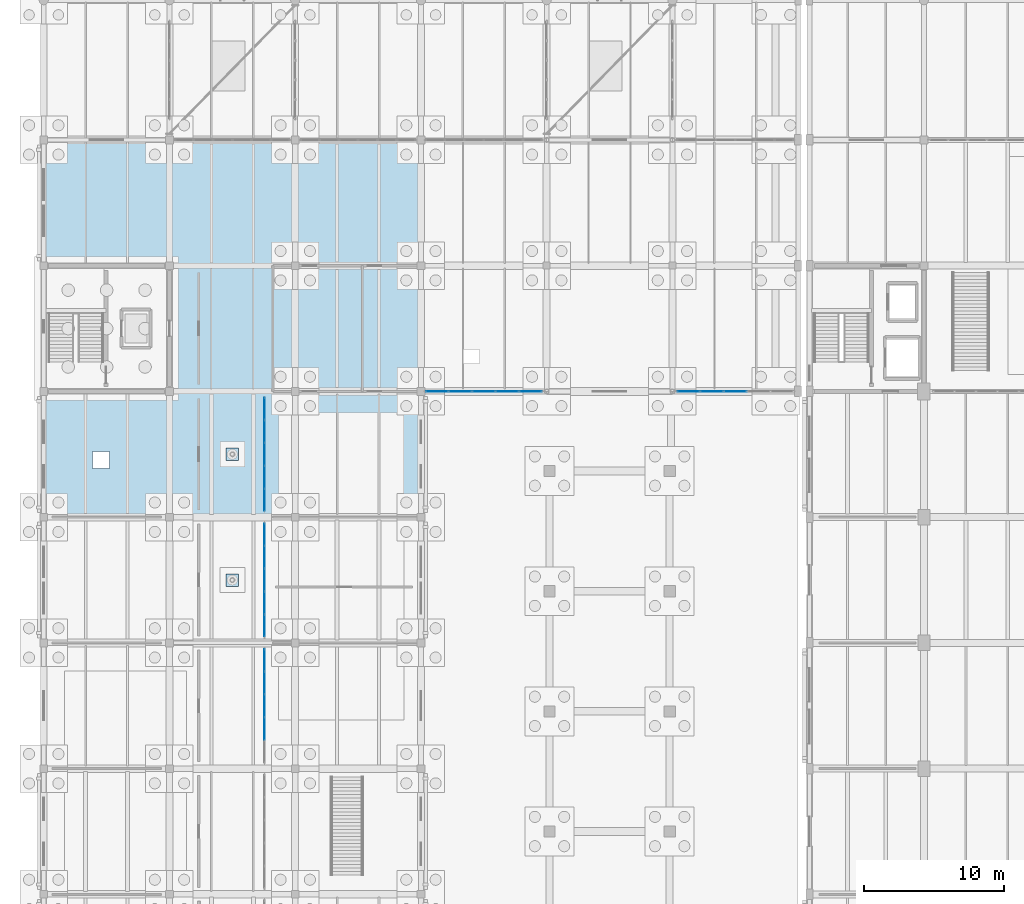
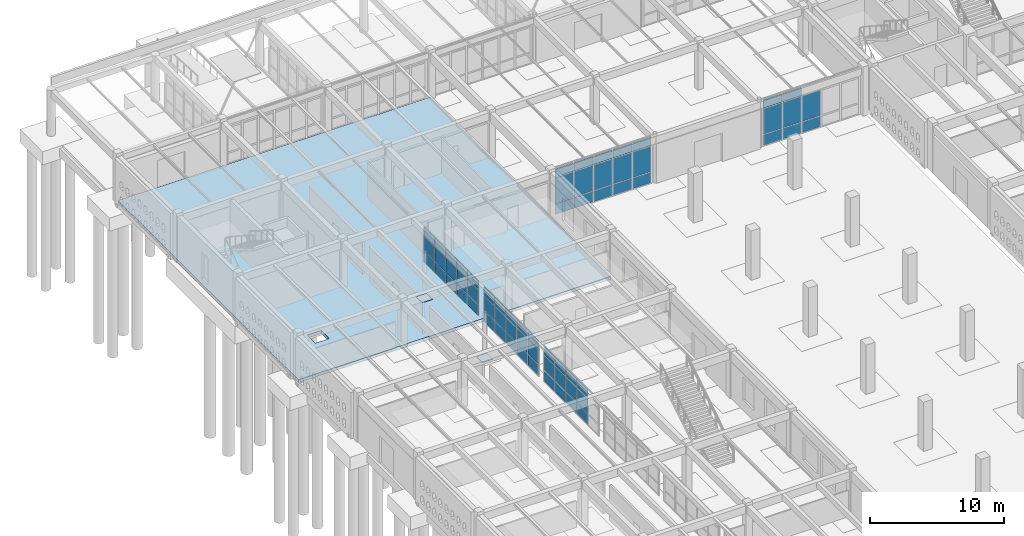
# One storey, part 144 of 186: 67 plates, 1 slab, 5 elements without a shape of their own.
"""IFC4 building model written with IfcOpenShell, lengths in metres."""

from ifc_helpers import new_model, si_unit, direction, frame, origin, origin_2d, place, context, subcontext, project, spatial, polyline, rectangle, outline, extrude, material, layer, layer_set, type_object, element, aggregate, save


model = new_model("IFC4")

# Units and contexts
model_context = context("Model", 3, precision=1e-05, world=origin(), true_north=direction((0.0, 1.0)))
body_context = subcontext(model_context, "Body", "Model", "MODEL_VIEW")
ifc_project = project(units=[si_unit("LENGTHUNIT", "METRE"), si_unit("AREAUNIT", "SQUARE_METRE"), si_unit("VOLUMEUNIT", "CUBIC_METRE"), si_unit("PLANEANGLEUNIT", "RADIAN"), si_unit("MASSUNIT", "GRAM", prefix="KILO")], contexts=[model_context])

# Site, building, storey
site_placement = place(None, origin())
site = spatial("IfcSite", under=ifc_project, at=site_placement, CompositionType="ELEMENT")
building_placement = place(site_placement, origin())
building = spatial("IfcBuilding", under=site, at=building_placement, Name="Ornek Quay Market", CompositionType="ELEMENT")
storey_placement = place(building_placement, origin())
storey = spatial("IfcBuildingStorey", under=building, at=storey_placement, Name="L00", CompositionType="ELEMENT", Elevation=0.0)

# Plates
ifc_material_1 = material(Name="Steel S355", Category="steel")
ifc_layer_1 = layer(ifc_material_1, 0.89990234375, Name="Steel S355", Category="steel")
ifc_layer_set_1 = layer_set([ifc_layer_1], Name="Steel S355")
plate_type_1 = type_object("IfcPlateType", Name="PL-BASE-900x900x40", PredefinedType="SHEET", material=ifc_layer_set_1)
for number, where, z_axis, x_axis, name in (
    (1, (13.5, 78.5, -0.0400390625), (0.0, 0.0, 1.0), (1.0, 0.0, 0.0), "Column base plate BP-06"),
    (2, (13.5, 87.5, -0.0400390625), (0.0, 0.0, 1.0), (1.0, 0.0, 0.0), "Column base plate BP-08"),
):
    element("IfcPlate", number, at=place(storey_placement, frame(where, z_axis=z_axis, x_axis=x_axis)), inside=storey, type_object=plate_type_1, Name=name, PredefinedType="SHEET", context=body_context, shape_type="SweptSolid", body=[
        extrude(rectangle(XDim=0.89990234375, YDim=0.89990234375, at=origin_2d()), origin(), (0.0, 0.0, 1.0), 0.0400390625),
    ])

# Curtain wall, plates
ifc_material_2 = material(Name="Anodised bronze aluminium and triple low-e glass", Category="aluminium")
ifc_layer_2 = layer(ifc_material_2, 0.179931640625, Name="Anodised bronze aluminium and triple low-e glass", Category="aluminium")
ifc_layer_set_2 = layer_set([ifc_layer_2], Name="Anodised bronze aluminium and triple low-e glass")
curtain_wall_type_1 = type_object("IfcCurtainWallType", Name="CW-CONC-MOD1500", PredefinedType="USERDEFINED", material=ifc_layer_set_2)
curtain_wall_1_placement = place(storey_placement, origin())
curtain_wall_1 = element("IfcCurtainWall", 3, at=curtain_wall_1_placement, inside=storey, type_object=curtain_wall_type_1, Name="Curtain wall CW-142", ObjectType="CURTAIN WALL", PredefinedType="USERDEFINED")
ifc_material_3 = material(Name="Toughened laminated acoustic glass", Category="glass")
ifc_layer_3 = layer(ifc_material_3, 0.01611328125, Name="Toughened laminated acoustic glass", Category="glass")
ifc_layer_set_3 = layer_set([ifc_layer_3], Name="Toughened laminated acoustic glass")
plate_type_2 = type_object("IfcPlateType", Name="PL-CW-INT-16", PredefinedType="CURTAIN_PANEL", material=ifc_layer_set_3)
plate_1_placement = place(storey_placement, frame((15.800048828125, 67.860107421875, 0.06005859375), z_axis=(0.0, 0.0, 1.0), x_axis=(0.0, 1.0, 0.0)))
plate_1 = element("IfcPlate", 4, at=plate_1_placement, type_object=plate_type_2, Name="CW-142 panel 2.1", PredefinedType="CURTAIN_PANEL", context=body_context, shape_type="SweptSolid", body=[
    extrude(rectangle(XDim=1.580078125, YDim=0.01611328125, at=origin_2d()), origin(), (0.0, 0.0, 1.0), 0.9599609375),
])
plate_2_placement = place(storey_placement, frame((15.800048828125, 67.860107421875, 1.080078125), z_axis=(0.0, 0.0, 1.0), x_axis=(0.0, 1.0, 0.0)))
plate_2 = element("IfcPlate", 5, at=plate_2_placement, type_object=plate_type_2, Name="CW-142 panel 2.2", PredefinedType="CURTAIN_PANEL", context=body_context, shape_type="SweptSolid", body=[
    extrude(rectangle(XDim=1.580078125, YDim=0.01611328125, at=origin_2d()), origin(), (0.0, 0.0, 1.0), 1.340087890625),
])
plate_3_placement = place(storey_placement, frame((15.800048828125, 67.860107421875, 2.47998046875), z_axis=(0.0, 0.0, 1.0), x_axis=(0.0, 1.0, 0.0)))
plate_3 = element("IfcPlate", 6, at=plate_3_placement, type_object=plate_type_2, Name="CW-142 panel 2.3", PredefinedType="CURTAIN_PANEL", context=body_context, shape_type="SweptSolid", body=[
    extrude(rectangle(XDim=1.580078125, YDim=0.01611328125, at=origin_2d()), origin(), (0.0, 0.0, 1.0), 0.760009765625),
])
plate_4_placement = place(storey_placement, frame((15.800048828125, 69.5, 0.06005859375), z_axis=(0.0, 0.0, 1.0), x_axis=(0.0, 1.0, 0.0)))
plate_4 = element("IfcPlate", 7, at=plate_4_placement, type_object=plate_type_2, Name="CW-142 panel 3.1", PredefinedType="CURTAIN_PANEL", context=body_context, shape_type="SweptSolid", body=[
    extrude(rectangle(XDim=1.580078125, YDim=0.01611328125, at=origin_2d()), origin(), (0.0, 0.0, 1.0), 0.9599609375),
])
plate_5_placement = place(storey_placement, frame((15.800048828125, 69.5, 1.080078125), z_axis=(0.0, 0.0, 1.0), x_axis=(0.0, 1.0, 0.0)))
plate_5 = element("IfcPlate", 8, at=plate_5_placement, type_object=plate_type_2, Name="CW-142 panel 3.2", PredefinedType="CURTAIN_PANEL", context=body_context, shape_type="SweptSolid", body=[
    extrude(rectangle(XDim=1.580078125, YDim=0.01611328125, at=origin_2d()), origin(), (0.0, 0.0, 1.0), 1.340087890625),
])
plate_6_placement = place(storey_placement, frame((15.800048828125, 69.5, 2.47998046875), z_axis=(0.0, 0.0, 1.0), x_axis=(0.0, 1.0, 0.0)))
plate_6 = element("IfcPlate", 9, at=plate_6_placement, type_object=plate_type_2, Name="CW-142 panel 3.3", PredefinedType="CURTAIN_PANEL", context=body_context, shape_type="SweptSolid", body=[
    extrude(rectangle(XDim=1.580078125, YDim=0.01611328125, at=origin_2d()), origin(), (0.0, 0.0, 1.0), 0.760009765625),
])
plate_7_placement = place(storey_placement, frame((15.800048828125, 71.139892578125, 0.06005859375), z_axis=(0.0, 0.0, 1.0), x_axis=(0.0, 1.0, 0.0)))
plate_7 = element("IfcPlate", 10, at=plate_7_placement, type_object=plate_type_2, Name="CW-142 panel 4.1", PredefinedType="CURTAIN_PANEL", context=body_context, shape_type="SweptSolid", body=[
    extrude(rectangle(XDim=1.580078125, YDim=0.01611328125, at=origin_2d()), origin(), (0.0, 0.0, 1.0), 0.9599609375),
])
plate_8_placement = place(storey_placement, frame((15.800048828125, 71.139892578125, 1.080078125), z_axis=(0.0, 0.0, 1.0), x_axis=(0.0, 1.0, 0.0)))
plate_8 = element("IfcPlate", 11, at=plate_8_placement, type_object=plate_type_2, Name="CW-142 panel 4.2", PredefinedType="CURTAIN_PANEL", context=body_context, shape_type="SweptSolid", body=[
    extrude(rectangle(XDim=1.580078125, YDim=0.01611328125, at=origin_2d()), origin(), (0.0, 0.0, 1.0), 1.340087890625),
])
plate_9_placement = place(storey_placement, frame((15.800048828125, 71.139892578125, 2.47998046875), z_axis=(0.0, 0.0, 1.0), x_axis=(0.0, 1.0, 0.0)))
plate_9 = element("IfcPlate", 12, at=plate_9_placement, type_object=plate_type_2, Name="CW-142 panel 4.3", PredefinedType="CURTAIN_PANEL", context=body_context, shape_type="SweptSolid", body=[
    extrude(rectangle(XDim=1.580078125, YDim=0.01611328125, at=origin_2d()), origin(), (0.0, 0.0, 1.0), 0.760009765625),
])
plate_10_placement = place(storey_placement, frame((15.800048828125, 72.764892578125, 0.06005859375), z_axis=(0.0, 0.0, 1.0), x_axis=(0.0, 1.0, 0.0)))
plate_10 = element("IfcPlate", 13, at=plate_10_placement, type_object=plate_type_2, Name="CW-142 panel 5.1", PredefinedType="CURTAIN_PANEL", context=body_context, shape_type="SweptSolid", body=[
    extrude(rectangle(XDim=1.550048828125, YDim=0.01611328125, at=origin_2d()), origin(), (0.0, 0.0, 1.0), 0.9599609375),
])
plate_11_placement = place(storey_placement, frame((15.800048828125, 72.764892578125, 1.080078125), z_axis=(0.0, 0.0, 1.0), x_axis=(0.0, 1.0, 0.0)))
plate_11 = element("IfcPlate", 14, at=plate_11_placement, type_object=plate_type_2, Name="CW-142 panel 5.2", PredefinedType="CURTAIN_PANEL", context=body_context, shape_type="SweptSolid", body=[
    extrude(rectangle(XDim=1.550048828125, YDim=0.01611328125, at=origin_2d()), origin(), (0.0, 0.0, 1.0), 1.340087890625),
])
plate_12_placement = place(storey_placement, frame((15.800048828125, 72.764892578125, 2.47998046875), z_axis=(0.0, 0.0, 1.0), x_axis=(0.0, 1.0, 0.0)))
plate_12 = element("IfcPlate", 15, at=plate_12_placement, type_object=plate_type_2, Name="CW-142 panel 5.3", PredefinedType="CURTAIN_PANEL", context=body_context, shape_type="SweptSolid", body=[
    extrude(rectangle(XDim=1.550048828125, YDim=0.01611328125, at=origin_2d()), origin(), (0.0, 0.0, 1.0), 0.760009765625),
])
aggregate(curtain_wall_1, [plate_1, plate_2, plate_3, plate_4, plate_5, plate_6, plate_7, plate_8, plate_9, plate_10, plate_11, plate_12])

curtain_wall_2_placement = place(storey_placement, origin())
curtain_wall_2 = element("IfcCurtainWall", 16, at=curtain_wall_2_placement, inside=storey, type_object=curtain_wall_type_1, Name="Curtain wall CW-144", ObjectType="CURTAIN WALL", PredefinedType="USERDEFINED")
plate_13_placement = place(storey_placement, frame((15.800048828125, 75.235107421875, 0.06005859375), z_axis=(0.0, 0.0, 1.0), x_axis=(0.0, 1.0, 0.0)))
plate_13 = element("IfcPlate", 17, at=plate_13_placement, type_object=plate_type_2, Name="CW-144 panel 1.1", PredefinedType="CURTAIN_PANEL", context=body_context, shape_type="SweptSolid", body=[
    extrude(rectangle(XDim=1.550048828125, YDim=0.01611328125, at=origin_2d()), origin(), (0.0, 0.0, 1.0), 0.9599609375),
])
plate_14_placement = place(storey_placement, frame((15.800048828125, 75.235107421875, 1.080078125), z_axis=(0.0, 0.0, 1.0), x_axis=(0.0, 1.0, 0.0)))
plate_14 = element("IfcPlate", 18, at=plate_14_placement, type_object=plate_type_2, Name="CW-144 panel 1.2", PredefinedType="CURTAIN_PANEL", context=body_context, shape_type="SweptSolid", body=[
    extrude(rectangle(XDim=1.550048828125, YDim=0.01611328125, at=origin_2d()), origin(), (0.0, 0.0, 1.0), 1.340087890625),
])
plate_15_placement = place(storey_placement, frame((15.800048828125, 75.235107421875, 2.47998046875), z_axis=(0.0, 0.0, 1.0), x_axis=(0.0, 1.0, 0.0)))
plate_15 = element("IfcPlate", 19, at=plate_15_placement, type_object=plate_type_2, Name="CW-144 panel 1.3", PredefinedType="CURTAIN_PANEL", context=body_context, shape_type="SweptSolid", body=[
    extrude(rectangle(XDim=1.550048828125, YDim=0.01611328125, at=origin_2d()), origin(), (0.0, 0.0, 1.0), 0.760009765625),
])
plate_16_placement = place(storey_placement, frame((15.800048828125, 76.860107421875, 0.06005859375), z_axis=(0.0, 0.0, 1.0), x_axis=(0.0, 1.0, 0.0)))
plate_16 = element("IfcPlate", 20, at=plate_16_placement, type_object=plate_type_2, Name="CW-144 panel 2.1", PredefinedType="CURTAIN_PANEL", context=body_context, shape_type="SweptSolid", body=[
    extrude(rectangle(XDim=1.580078125, YDim=0.01611328125, at=origin_2d()), origin(), (0.0, 0.0, 1.0), 0.9599609375),
])
plate_17_placement = place(storey_placement, frame((15.800048828125, 76.860107421875, 1.080078125), z_axis=(0.0, 0.0, 1.0), x_axis=(0.0, 1.0, 0.0)))
plate_17 = element("IfcPlate", 21, at=plate_17_placement, type_object=plate_type_2, Name="CW-144 panel 2.2", PredefinedType="CURTAIN_PANEL", context=body_context, shape_type="SweptSolid", body=[
    extrude(rectangle(XDim=1.580078125, YDim=0.01611328125, at=origin_2d()), origin(), (0.0, 0.0, 1.0), 1.340087890625),
])
plate_18_placement = place(storey_placement, frame((15.800048828125, 76.860107421875, 2.47998046875), z_axis=(0.0, 0.0, 1.0), x_axis=(0.0, 1.0, 0.0)))
plate_18 = element("IfcPlate", 22, at=plate_18_placement, type_object=plate_type_2, Name="CW-144 panel 2.3", PredefinedType="CURTAIN_PANEL", context=body_context, shape_type="SweptSolid", body=[
    extrude(rectangle(XDim=1.580078125, YDim=0.01611328125, at=origin_2d()), origin(), (0.0, 0.0, 1.0), 0.760009765625),
])
plate_19_placement = place(storey_placement, frame((15.800048828125, 78.5, 0.06005859375), z_axis=(0.0, 0.0, 1.0), x_axis=(0.0, 1.0, 0.0)))
plate_19 = element("IfcPlate", 23, at=plate_19_placement, type_object=plate_type_2, Name="CW-144 panel 3.1", PredefinedType="CURTAIN_PANEL", context=body_context, shape_type="SweptSolid", body=[
    extrude(rectangle(XDim=1.580078125, YDim=0.01611328125, at=origin_2d()), origin(), (0.0, 0.0, 1.0), 0.9599609375),
])
plate_20_placement = place(storey_placement, frame((15.800048828125, 78.5, 1.080078125), z_axis=(0.0, 0.0, 1.0), x_axis=(0.0, 1.0, 0.0)))
plate_20 = element("IfcPlate", 24, at=plate_20_placement, type_object=plate_type_2, Name="CW-144 panel 3.2", PredefinedType="CURTAIN_PANEL", context=body_context, shape_type="SweptSolid", body=[
    extrude(rectangle(XDim=1.580078125, YDim=0.01611328125, at=origin_2d()), origin(), (0.0, 0.0, 1.0), 1.340087890625),
])
plate_21_placement = place(storey_placement, frame((15.800048828125, 78.5, 2.47998046875), z_axis=(0.0, 0.0, 1.0), x_axis=(0.0, 1.0, 0.0)))
plate_21 = element("IfcPlate", 25, at=plate_21_placement, type_object=plate_type_2, Name="CW-144 panel 3.3", PredefinedType="CURTAIN_PANEL", context=body_context, shape_type="SweptSolid", body=[
    extrude(rectangle(XDim=1.580078125, YDim=0.01611328125, at=origin_2d()), origin(), (0.0, 0.0, 1.0), 0.760009765625),
])
plate_22_placement = place(storey_placement, frame((15.800048828125, 80.139892578125, 0.06005859375), z_axis=(0.0, 0.0, 1.0), x_axis=(0.0, 1.0, 0.0)))
plate_22 = element("IfcPlate", 26, at=plate_22_placement, type_object=plate_type_2, Name="CW-144 panel 4.1", PredefinedType="CURTAIN_PANEL", context=body_context, shape_type="SweptSolid", body=[
    extrude(rectangle(XDim=1.580078125, YDim=0.01611328125, at=origin_2d()), origin(), (0.0, 0.0, 1.0), 0.9599609375),
])
plate_23_placement = place(storey_placement, frame((15.800048828125, 80.139892578125, 1.080078125), z_axis=(0.0, 0.0, 1.0), x_axis=(0.0, 1.0, 0.0)))
plate_23 = element("IfcPlate", 27, at=plate_23_placement, type_object=plate_type_2, Name="CW-144 panel 4.2", PredefinedType="CURTAIN_PANEL", context=body_context, shape_type="SweptSolid", body=[
    extrude(rectangle(XDim=1.580078125, YDim=0.01611328125, at=origin_2d()), origin(), (0.0, 0.0, 1.0), 1.340087890625),
])
plate_24_placement = place(storey_placement, frame((15.800048828125, 80.139892578125, 2.47998046875), z_axis=(0.0, 0.0, 1.0), x_axis=(0.0, 1.0, 0.0)))
plate_24 = element("IfcPlate", 28, at=plate_24_placement, type_object=plate_type_2, Name="CW-144 panel 4.3", PredefinedType="CURTAIN_PANEL", context=body_context, shape_type="SweptSolid", body=[
    extrude(rectangle(XDim=1.580078125, YDim=0.01611328125, at=origin_2d()), origin(), (0.0, 0.0, 1.0), 0.760009765625),
])
plate_25_placement = place(storey_placement, frame((15.800048828125, 81.764892578125, 0.06005859375), z_axis=(0.0, 0.0, 1.0), x_axis=(0.0, 1.0, 0.0)))
plate_25 = element("IfcPlate", 29, at=plate_25_placement, type_object=plate_type_2, Name="CW-144 panel 5.1", PredefinedType="CURTAIN_PANEL", context=body_context, shape_type="SweptSolid", body=[
    extrude(rectangle(XDim=1.550048828125, YDim=0.01611328125, at=origin_2d()), origin(), (0.0, 0.0, 1.0), 0.9599609375),
])
plate_26_placement = place(storey_placement, frame((15.800048828125, 81.764892578125, 1.080078125), z_axis=(0.0, 0.0, 1.0), x_axis=(0.0, 1.0, 0.0)))
plate_26 = element("IfcPlate", 30, at=plate_26_placement, type_object=plate_type_2, Name="CW-144 panel 5.2", PredefinedType="CURTAIN_PANEL", context=body_context, shape_type="SweptSolid", body=[
    extrude(rectangle(XDim=1.550048828125, YDim=0.01611328125, at=origin_2d()), origin(), (0.0, 0.0, 1.0), 1.340087890625),
])
plate_27_placement = place(storey_placement, frame((15.800048828125, 81.764892578125, 2.47998046875), z_axis=(0.0, 0.0, 1.0), x_axis=(0.0, 1.0, 0.0)))
plate_27 = element("IfcPlate", 31, at=plate_27_placement, type_object=plate_type_2, Name="CW-144 panel 5.3", PredefinedType="CURTAIN_PANEL", context=body_context, shape_type="SweptSolid", body=[
    extrude(rectangle(XDim=1.550048828125, YDim=0.01611328125, at=origin_2d()), origin(), (0.0, 0.0, 1.0), 0.760009765625),
])
aggregate(curtain_wall_2, [plate_13, plate_14, plate_15, plate_16, plate_17, plate_18, plate_19, plate_20, plate_21, plate_22, plate_23, plate_24, plate_25, plate_26, plate_27])

curtain_wall_3_placement = place(storey_placement, origin())
curtain_wall_3 = element("IfcCurtainWall", 32, at=curtain_wall_3_placement, inside=storey, type_object=curtain_wall_type_1, Name="Curtain wall CW-146", ObjectType="CURTAIN WALL", PredefinedType="USERDEFINED")
plate_28_placement = place(storey_placement, frame((15.800048828125, 84.235107421875, 0.06005859375), z_axis=(0.0, 0.0, 1.0), x_axis=(0.0, 1.0, 0.0)))
plate_28 = element("IfcPlate", 33, at=plate_28_placement, type_object=plate_type_2, Name="CW-146 panel 1.1", PredefinedType="CURTAIN_PANEL", context=body_context, shape_type="SweptSolid", body=[
    extrude(rectangle(XDim=1.550048828125, YDim=0.01611328125, at=origin_2d()), origin(), (0.0, 0.0, 1.0), 0.9599609375),
])
plate_29_placement = place(storey_placement, frame((15.800048828125, 84.235107421875, 1.080078125), z_axis=(0.0, 0.0, 1.0), x_axis=(0.0, 1.0, 0.0)))
plate_29 = element("IfcPlate", 34, at=plate_29_placement, type_object=plate_type_2, Name="CW-146 panel 1.2", PredefinedType="CURTAIN_PANEL", context=body_context, shape_type="SweptSolid", body=[
    extrude(rectangle(XDim=1.550048828125, YDim=0.01611328125, at=origin_2d()), origin(), (0.0, 0.0, 1.0), 1.340087890625),
])
plate_30_placement = place(storey_placement, frame((15.800048828125, 84.235107421875, 2.47998046875), z_axis=(0.0, 0.0, 1.0), x_axis=(0.0, 1.0, 0.0)))
plate_30 = element("IfcPlate", 35, at=plate_30_placement, type_object=plate_type_2, Name="CW-146 panel 1.3", PredefinedType="CURTAIN_PANEL", context=body_context, shape_type="SweptSolid", body=[
    extrude(rectangle(XDim=1.550048828125, YDim=0.01611328125, at=origin_2d()), origin(), (0.0, 0.0, 1.0), 0.760009765625),
])
plate_31_placement = place(storey_placement, frame((15.800048828125, 85.860107421875, 0.06005859375), z_axis=(0.0, 0.0, 1.0), x_axis=(0.0, 1.0, 0.0)))
plate_31 = element("IfcPlate", 36, at=plate_31_placement, type_object=plate_type_2, Name="CW-146 panel 2.1", PredefinedType="CURTAIN_PANEL", context=body_context, shape_type="SweptSolid", body=[
    extrude(rectangle(XDim=1.580078125, YDim=0.01611328125, at=origin_2d()), origin(), (0.0, 0.0, 1.0), 0.9599609375),
])
plate_32_placement = place(storey_placement, frame((15.800048828125, 85.860107421875, 1.080078125), z_axis=(0.0, 0.0, 1.0), x_axis=(0.0, 1.0, 0.0)))
plate_32 = element("IfcPlate", 37, at=plate_32_placement, type_object=plate_type_2, Name="CW-146 panel 2.2", PredefinedType="CURTAIN_PANEL", context=body_context, shape_type="SweptSolid", body=[
    extrude(rectangle(XDim=1.580078125, YDim=0.01611328125, at=origin_2d()), origin(), (0.0, 0.0, 1.0), 1.340087890625),
])
plate_33_placement = place(storey_placement, frame((15.800048828125, 85.860107421875, 2.47998046875), z_axis=(0.0, 0.0, 1.0), x_axis=(0.0, 1.0, 0.0)))
plate_33 = element("IfcPlate", 38, at=plate_33_placement, type_object=plate_type_2, Name="CW-146 panel 2.3", PredefinedType="CURTAIN_PANEL", context=body_context, shape_type="SweptSolid", body=[
    extrude(rectangle(XDim=1.580078125, YDim=0.01611328125, at=origin_2d()), origin(), (0.0, 0.0, 1.0), 0.760009765625),
])
plate_34_placement = place(storey_placement, frame((15.800048828125, 87.5, 0.06005859375), z_axis=(0.0, 0.0, 1.0), x_axis=(0.0, 1.0, 0.0)))
plate_34 = element("IfcPlate", 39, at=plate_34_placement, type_object=plate_type_2, Name="CW-146 panel 3.1", PredefinedType="CURTAIN_PANEL", context=body_context, shape_type="SweptSolid", body=[
    extrude(rectangle(XDim=1.580078125, YDim=0.01611328125, at=origin_2d()), origin(), (0.0, 0.0, 1.0), 0.9599609375),
])
plate_35_placement = place(storey_placement, frame((15.800048828125, 87.5, 1.080078125), z_axis=(0.0, 0.0, 1.0), x_axis=(0.0, 1.0, 0.0)))
plate_35 = element("IfcPlate", 40, at=plate_35_placement, type_object=plate_type_2, Name="CW-146 panel 3.2", PredefinedType="CURTAIN_PANEL", context=body_context, shape_type="SweptSolid", body=[
    extrude(rectangle(XDim=1.580078125, YDim=0.01611328125, at=origin_2d()), origin(), (0.0, 0.0, 1.0), 1.340087890625),
])
plate_36_placement = place(storey_placement, frame((15.800048828125, 87.5, 2.47998046875), z_axis=(0.0, 0.0, 1.0), x_axis=(0.0, 1.0, 0.0)))
plate_36 = element("IfcPlate", 41, at=plate_36_placement, type_object=plate_type_2, Name="CW-146 panel 3.3", PredefinedType="CURTAIN_PANEL", context=body_context, shape_type="SweptSolid", body=[
    extrude(rectangle(XDim=1.580078125, YDim=0.01611328125, at=origin_2d()), origin(), (0.0, 0.0, 1.0), 0.760009765625),
])
plate_37_placement = place(storey_placement, frame((15.800048828125, 89.139892578125, 0.06005859375), z_axis=(0.0, 0.0, 1.0), x_axis=(0.0, 1.0, 0.0)))
plate_37 = element("IfcPlate", 42, at=plate_37_placement, type_object=plate_type_2, Name="CW-146 panel 4.1", PredefinedType="CURTAIN_PANEL", context=body_context, shape_type="SweptSolid", body=[
    extrude(rectangle(XDim=1.580078125, YDim=0.01611328125, at=origin_2d()), origin(), (0.0, 0.0, 1.0), 0.9599609375),
])
plate_38_placement = place(storey_placement, frame((15.800048828125, 89.139892578125, 1.080078125), z_axis=(0.0, 0.0, 1.0), x_axis=(0.0, 1.0, 0.0)))
plate_38 = element("IfcPlate", 43, at=plate_38_placement, type_object=plate_type_2, Name="CW-146 panel 4.2", PredefinedType="CURTAIN_PANEL", context=body_context, shape_type="SweptSolid", body=[
    extrude(rectangle(XDim=1.580078125, YDim=0.01611328125, at=origin_2d()), origin(), (0.0, 0.0, 1.0), 1.340087890625),
])
plate_39_placement = place(storey_placement, frame((15.800048828125, 89.139892578125, 2.47998046875), z_axis=(0.0, 0.0, 1.0), x_axis=(0.0, 1.0, 0.0)))
plate_39 = element("IfcPlate", 44, at=plate_39_placement, type_object=plate_type_2, Name="CW-146 panel 4.3", PredefinedType="CURTAIN_PANEL", context=body_context, shape_type="SweptSolid", body=[
    extrude(rectangle(XDim=1.580078125, YDim=0.01611328125, at=origin_2d()), origin(), (0.0, 0.0, 1.0), 0.760009765625),
])
plate_40_placement = place(storey_placement, frame((15.800048828125, 90.764892578125, 0.06005859375), z_axis=(0.0, 0.0, 1.0), x_axis=(0.0, 1.0, 0.0)))
plate_40 = element("IfcPlate", 45, at=plate_40_placement, type_object=plate_type_2, Name="CW-146 panel 5.1", PredefinedType="CURTAIN_PANEL", context=body_context, shape_type="SweptSolid", body=[
    extrude(rectangle(XDim=1.550048828125, YDim=0.01611328125, at=origin_2d()), origin(), (0.0, 0.0, 1.0), 0.9599609375),
])
plate_41_placement = place(storey_placement, frame((15.800048828125, 90.764892578125, 1.080078125), z_axis=(0.0, 0.0, 1.0), x_axis=(0.0, 1.0, 0.0)))
plate_41 = element("IfcPlate", 46, at=plate_41_placement, type_object=plate_type_2, Name="CW-146 panel 5.2", PredefinedType="CURTAIN_PANEL", context=body_context, shape_type="SweptSolid", body=[
    extrude(rectangle(XDim=1.550048828125, YDim=0.01611328125, at=origin_2d()), origin(), (0.0, 0.0, 1.0), 1.340087890625),
])
plate_42_placement = place(storey_placement, frame((15.800048828125, 90.764892578125, 2.47998046875), z_axis=(0.0, 0.0, 1.0), x_axis=(0.0, 1.0, 0.0)))
plate_42 = element("IfcPlate", 47, at=plate_42_placement, type_object=plate_type_2, Name="CW-146 panel 5.3", PredefinedType="CURTAIN_PANEL", context=body_context, shape_type="SweptSolid", body=[
    extrude(rectangle(XDim=1.550048828125, YDim=0.01611328125, at=origin_2d()), origin(), (0.0, 0.0, 1.0), 0.760009765625),
])
aggregate(curtain_wall_3, [plate_28, plate_29, plate_30, plate_31, plate_32, plate_33, plate_34, plate_35, plate_36, plate_37, plate_38, plate_39, plate_40, plate_41, plate_42])

ifc_layer_4 = layer(ifc_material_2, 0.199951171875, Name="Anodised bronze aluminium and triple low-e glass", Category="aluminium")
ifc_layer_set_4 = layer_set([ifc_layer_4], Name="Anodised bronze aluminium and triple low-e glass")
curtain_wall_type_2 = type_object("IfcCurtainWallType", Name="CW-CONC-MOD1800", PredefinedType="USERDEFINED", material=ifc_layer_set_4)
curtain_wall_4_placement = place(storey_placement, origin())
curtain_wall_4 = element("IfcCurtainWall", 48, at=curtain_wall_4_placement, inside=storey, type_object=curtain_wall_type_2, Name="Curtain wall CW-006", ObjectType="CURTAIN WALL", PredefinedType="USERDEFINED")
ifc_material_4 = material(Name="Triple insulated low-e glass", Category="glass")
ifc_layer_5 = layer(ifc_material_4, 0.0419921875, Name="Triple insulated low-e glass", Category="glass")
ifc_layer_set_5 = layer_set([ifc_layer_5], Name="Triple insulated low-e glass")
plate_type_3 = type_object("IfcPlateType", Name="PL-CW-TRIPLE-42", PredefinedType="CURTAIN_PANEL", material=ifc_layer_set_5)
plate_43_placement = place(storey_placement, frame((28.15625, 92.0, 0.06494140625), z_axis=(0.0, 0.0, 1.0), x_axis=(1.0, 0.0, 0.0)))
plate_43 = element("IfcPlate", 49, at=plate_43_placement, type_object=plate_type_3, Name="CW-006 panel 1.1", PredefinedType="CURTAIN_PANEL", context=body_context, shape_type="SweptSolid", body=[
    extrude(rectangle(XDim=1.58251953125, YDim=0.0419921875, at=origin_2d()), origin(), (0.0, 0.0, 1.0), 0.952392578125),
])
plate_44_placement = place(storey_placement, frame((28.15625, 92.0, 1.08251953125), z_axis=(0.0, 0.0, 1.0), x_axis=(1.0, 0.0, 0.0)))
plate_44 = element("IfcPlate", 50, at=plate_44_placement, type_object=plate_type_3, Name="CW-006 panel 1.2", PredefinedType="CURTAIN_PANEL", context=body_context, shape_type="SweptSolid", body=[
    extrude(rectangle(XDim=1.58251953125, YDim=0.0419921875, at=origin_2d()), origin(), (0.0, 0.0, 1.0), 2.304931640625),
])
plate_45_placement = place(storey_placement, frame((28.15625, 92.0, 3.45263671875), z_axis=(0.0, 0.0, 1.0), x_axis=(1.0, 0.0, 0.0)))
plate_45 = element("IfcPlate", 51, at=plate_45_placement, type_object=plate_type_3, Name="CW-006 panel 1.3", PredefinedType="CURTAIN_PANEL", context=body_context, shape_type="SweptSolid", body=[
    extrude(rectangle(XDim=1.58251953125, YDim=0.0419921875, at=origin_2d()), origin(), (0.0, 0.0, 1.0), 0.75244140625),
])
plate_46_placement = place(storey_placement, frame((29.820068359375, 92.0, 0.06494140625), z_axis=(0.0, 0.0, 1.0), x_axis=(1.0, 0.0, 0.0)))
plate_46 = element("IfcPlate", 52, at=plate_46_placement, type_object=plate_type_3, Name="CW-006 panel 2.1", PredefinedType="CURTAIN_PANEL", context=body_context, shape_type="SweptSolid", body=[
    extrude(rectangle(XDim=1.614990234375, YDim=0.0419921875, at=origin_2d()), origin(), (0.0, 0.0, 1.0), 0.952392578125),
])
plate_47_placement = place(storey_placement, frame((29.820068359375, 92.0, 1.08251953125), z_axis=(0.0, 0.0, 1.0), x_axis=(1.0, 0.0, 0.0)))
plate_47 = element("IfcPlate", 53, at=plate_47_placement, type_object=plate_type_3, Name="CW-006 panel 2.2", PredefinedType="CURTAIN_PANEL", context=body_context, shape_type="SweptSolid", body=[
    extrude(rectangle(XDim=1.614990234375, YDim=0.0419921875, at=origin_2d()), origin(), (0.0, 0.0, 1.0), 2.304931640625),
])
plate_48_placement = place(storey_placement, frame((29.820068359375, 92.0, 3.45263671875), z_axis=(0.0, 0.0, 1.0), x_axis=(1.0, 0.0, 0.0)))
plate_48 = element("IfcPlate", 54, at=plate_48_placement, type_object=plate_type_3, Name="CW-006 panel 2.3", PredefinedType="CURTAIN_PANEL", context=body_context, shape_type="SweptSolid", body=[
    extrude(rectangle(XDim=1.614990234375, YDim=0.0419921875, at=origin_2d()), origin(), (0.0, 0.0, 1.0), 0.75244140625),
])
plate_49_placement = place(storey_placement, frame((31.5, 92.0, 0.06494140625), z_axis=(0.0, 0.0, 1.0), x_axis=(1.0, 0.0, 0.0)))
plate_49 = element("IfcPlate", 55, at=plate_49_placement, type_object=plate_type_3, Name="CW-006 panel 3.1", PredefinedType="CURTAIN_PANEL", context=body_context, shape_type="SweptSolid", body=[
    extrude(rectangle(XDim=1.614990234375, YDim=0.0419921875, at=origin_2d()), origin(), (0.0, 0.0, 1.0), 0.952392578125),
])
plate_50_placement = place(storey_placement, frame((31.5, 92.0, 1.08251953125), z_axis=(0.0, 0.0, 1.0), x_axis=(1.0, 0.0, 0.0)))
plate_50 = element("IfcPlate", 56, at=plate_50_placement, type_object=plate_type_3, Name="CW-006 panel 3.2", PredefinedType="CURTAIN_PANEL", context=body_context, shape_type="SweptSolid", body=[
    extrude(rectangle(XDim=1.614990234375, YDim=0.0419921875, at=origin_2d()), origin(), (0.0, 0.0, 1.0), 2.304931640625),
])
plate_51_placement = place(storey_placement, frame((31.5, 92.0, 3.45263671875), z_axis=(0.0, 0.0, 1.0), x_axis=(1.0, 0.0, 0.0)))
plate_51 = element("IfcPlate", 57, at=plate_51_placement, type_object=plate_type_3, Name="CW-006 panel 3.3", PredefinedType="CURTAIN_PANEL", context=body_context, shape_type="SweptSolid", body=[
    extrude(rectangle(XDim=1.614990234375, YDim=0.0419921875, at=origin_2d()), origin(), (0.0, 0.0, 1.0), 0.75244140625),
])
plate_52_placement = place(storey_placement, frame((33.179931640625, 92.0, 0.06494140625), z_axis=(0.0, 0.0, 1.0), x_axis=(1.0, 0.0, 0.0)))
plate_52 = element("IfcPlate", 58, at=plate_52_placement, type_object=plate_type_3, Name="CW-006 panel 4.1", PredefinedType="CURTAIN_PANEL", context=body_context, shape_type="SweptSolid", body=[
    extrude(rectangle(XDim=1.614990234375, YDim=0.0419921875, at=origin_2d()), origin(), (0.0, 0.0, 1.0), 0.952392578125),
])
plate_53_placement = place(storey_placement, frame((33.179931640625, 92.0, 1.08251953125), z_axis=(0.0, 0.0, 1.0), x_axis=(1.0, 0.0, 0.0)))
plate_53 = element("IfcPlate", 59, at=plate_53_placement, type_object=plate_type_3, Name="CW-006 panel 4.2", PredefinedType="CURTAIN_PANEL", context=body_context, shape_type="SweptSolid", body=[
    extrude(rectangle(XDim=1.614990234375, YDim=0.0419921875, at=origin_2d()), origin(), (0.0, 0.0, 1.0), 2.304931640625),
])
plate_54_placement = place(storey_placement, frame((33.179931640625, 92.0, 3.45263671875), z_axis=(0.0, 0.0, 1.0), x_axis=(1.0, 0.0, 0.0)))
plate_54 = element("IfcPlate", 60, at=plate_54_placement, type_object=plate_type_3, Name="CW-006 panel 4.3", PredefinedType="CURTAIN_PANEL", context=body_context, shape_type="SweptSolid", body=[
    extrude(rectangle(XDim=1.614990234375, YDim=0.0419921875, at=origin_2d()), origin(), (0.0, 0.0, 1.0), 0.75244140625),
])
plate_55_placement = place(storey_placement, frame((34.84375, 92.0, 0.06494140625), z_axis=(0.0, 0.0, 1.0), x_axis=(1.0, 0.0, 0.0)))
plate_55 = element("IfcPlate", 61, at=plate_55_placement, type_object=plate_type_3, Name="CW-006 panel 5.1", PredefinedType="CURTAIN_PANEL", context=body_context, shape_type="SweptSolid", body=[
    extrude(rectangle(XDim=1.58251953125, YDim=0.0419921875, at=origin_2d()), origin(), (0.0, 0.0, 1.0), 0.952392578125),
])
plate_56_placement = place(storey_placement, frame((34.84375, 92.0, 1.08251953125), z_axis=(0.0, 0.0, 1.0), x_axis=(1.0, 0.0, 0.0)))
plate_56 = element("IfcPlate", 62, at=plate_56_placement, type_object=plate_type_3, Name="CW-006 panel 5.2", PredefinedType="CURTAIN_PANEL", context=body_context, shape_type="SweptSolid", body=[
    extrude(rectangle(XDim=1.58251953125, YDim=0.0419921875, at=origin_2d()), origin(), (0.0, 0.0, 1.0), 2.304931640625),
])
plate_57_placement = place(storey_placement, frame((34.84375, 92.0, 3.45263671875), z_axis=(0.0, 0.0, 1.0), x_axis=(1.0, 0.0, 0.0)))
plate_57 = element("IfcPlate", 63, at=plate_57_placement, type_object=plate_type_3, Name="CW-006 panel 5.3", PredefinedType="CURTAIN_PANEL", context=body_context, shape_type="SweptSolid", body=[
    extrude(rectangle(XDim=1.58251953125, YDim=0.0419921875, at=origin_2d()), origin(), (0.0, 0.0, 1.0), 0.75244140625),
])
aggregate(curtain_wall_4, [plate_43, plate_44, plate_45, plate_46, plate_47, plate_48, plate_49, plate_50, plate_51, plate_52, plate_53, plate_54, plate_55, plate_56, plate_57])

curtain_wall_5_placement = place(storey_placement, origin())
curtain_wall_5 = element("IfcCurtainWall", 64, at=curtain_wall_5_placement, inside=storey, type_object=curtain_wall_type_2, Name="Curtain wall CW-010", ObjectType="CURTAIN WALL", PredefinedType="USERDEFINED")
plate_58_placement = place(storey_placement, frame((46.15625, 92.0, 0.06494140625), z_axis=(0.0, 0.0, 1.0), x_axis=(1.0, 0.0, 0.0)))
plate_58 = element("IfcPlate", 65, at=plate_58_placement, type_object=plate_type_3, Name="CW-010 panel 1.1", PredefinedType="CURTAIN_PANEL", context=body_context, shape_type="SweptSolid", body=[
    extrude(rectangle(XDim=1.58251953125, YDim=0.0419921875, at=origin_2d()), origin(), (0.0, 0.0, 1.0), 0.952392578125),
])
plate_59_placement = place(storey_placement, frame((46.15625, 92.0, 1.08251953125), z_axis=(0.0, 0.0, 1.0), x_axis=(1.0, 0.0, 0.0)))
plate_59 = element("IfcPlate", 66, at=plate_59_placement, type_object=plate_type_3, Name="CW-010 panel 1.2", PredefinedType="CURTAIN_PANEL", context=body_context, shape_type="SweptSolid", body=[
    extrude(rectangle(XDim=1.58251953125, YDim=0.0419921875, at=origin_2d()), origin(), (0.0, 0.0, 1.0), 2.304931640625),
])
plate_60_placement = place(storey_placement, frame((46.15625, 92.0, 3.45263671875), z_axis=(0.0, 0.0, 1.0), x_axis=(1.0, 0.0, 0.0)))
plate_60 = element("IfcPlate", 67, at=plate_60_placement, type_object=plate_type_3, Name="CW-010 panel 1.3", PredefinedType="CURTAIN_PANEL", context=body_context, shape_type="SweptSolid", body=[
    extrude(rectangle(XDim=1.58251953125, YDim=0.0419921875, at=origin_2d()), origin(), (0.0, 0.0, 1.0), 0.75244140625),
])
plate_61_placement = place(storey_placement, frame((47.820068359375, 92.0, 0.06494140625), z_axis=(0.0, 0.0, 1.0), x_axis=(1.0, 0.0, 0.0)))
plate_61 = element("IfcPlate", 68, at=plate_61_placement, type_object=plate_type_3, Name="CW-010 panel 2.1", PredefinedType="CURTAIN_PANEL", context=body_context, shape_type="SweptSolid", body=[
    extrude(rectangle(XDim=1.614990234375, YDim=0.0419921875, at=origin_2d()), origin(), (0.0, 0.0, 1.0), 0.952392578125),
])
plate_62_placement = place(storey_placement, frame((47.820068359375, 92.0, 1.08251953125), z_axis=(0.0, 0.0, 1.0), x_axis=(1.0, 0.0, 0.0)))
plate_62 = element("IfcPlate", 69, at=plate_62_placement, type_object=plate_type_3, Name="CW-010 panel 2.2", PredefinedType="CURTAIN_PANEL", context=body_context, shape_type="SweptSolid", body=[
    extrude(rectangle(XDim=1.614990234375, YDim=0.0419921875, at=origin_2d()), origin(), (0.0, 0.0, 1.0), 2.304931640625),
])
plate_63_placement = place(storey_placement, frame((47.820068359375, 92.0, 3.45263671875), z_axis=(0.0, 0.0, 1.0), x_axis=(1.0, 0.0, 0.0)))
plate_63 = element("IfcPlate", 70, at=plate_63_placement, type_object=plate_type_3, Name="CW-010 panel 2.3", PredefinedType="CURTAIN_PANEL", context=body_context, shape_type="SweptSolid", body=[
    extrude(rectangle(XDim=1.614990234375, YDim=0.0419921875, at=origin_2d()), origin(), (0.0, 0.0, 1.0), 0.75244140625),
])
plate_64_placement = place(storey_placement, frame((49.5, 92.0, 0.06494140625), z_axis=(0.0, 0.0, 1.0), x_axis=(1.0, 0.0, 0.0)))
plate_64 = element("IfcPlate", 71, at=plate_64_placement, type_object=plate_type_3, Name="CW-010 panel 3.1", PredefinedType="CURTAIN_PANEL", context=body_context, shape_type="SweptSolid", body=[
    extrude(rectangle(XDim=1.614990234375, YDim=0.0419921875, at=origin_2d()), origin(), (0.0, 0.0, 1.0), 0.952392578125),
])
plate_65_placement = place(storey_placement, frame((49.5, 92.0, 1.08251953125), z_axis=(0.0, 0.0, 1.0), x_axis=(1.0, 0.0, 0.0)))
plate_65 = element("IfcPlate", 72, at=plate_65_placement, type_object=plate_type_3, Name="CW-010 panel 3.2", PredefinedType="CURTAIN_PANEL", context=body_context, shape_type="SweptSolid", body=[
    extrude(rectangle(XDim=1.614990234375, YDim=0.0419921875, at=origin_2d()), origin(), (0.0, 0.0, 1.0), 2.304931640625),
])
aggregate(curtain_wall_5, [plate_58, plate_59, plate_60, plate_61, plate_62, plate_63, plate_64, plate_65])

# Slab
ifc_material_5 = material(Name="Concrete C35/45", Category="concrete")
ifc_layer_6 = layer(ifc_material_5, 0.280029296875, Name="Concrete C35/45", Category="concrete")
ifc_layer_set_6 = layer_set([ifc_layer_6], Name="Concrete C35/45")
slab_type = type_object("IfcSlabType", Name="SL-FLR-WING-280", PredefinedType="FLOOR", material=ifc_layer_set_6)
slab_placement = place(storey_placement, frame((0.0, 0.0, -0.280029296875)))
element("IfcSlab", 73, at=slab_placement, inside=storey, type_object=slab_type, Name="Slab S-005 (L00)", PredefinedType="FLOOR", context=body_context, shape_type="SweptSolid", body=[
    extrude(outline(polyline([(0.0, 83.0), (27.0, 83.0), (27.0, 110.0), (0.0, 110.0), (0.0, 83.0)]), holes=[polyline([(3.5, 87.699951171875), (4.699951171875, 87.699951171875), (4.699951171875, 86.5), (3.5, 86.5), (3.5, 87.699951171875)])]), origin(), (0.0, 0.0, 1.0), 0.280029296875),
])

save(model, "model.ifc")
